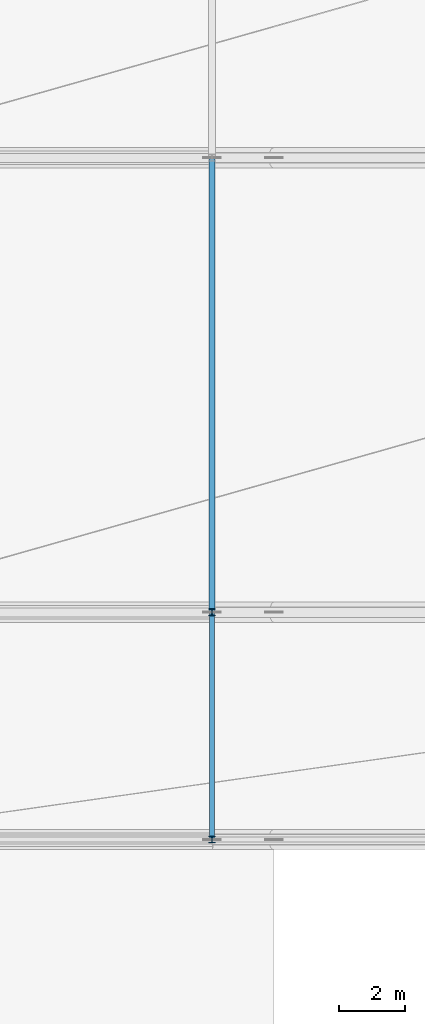
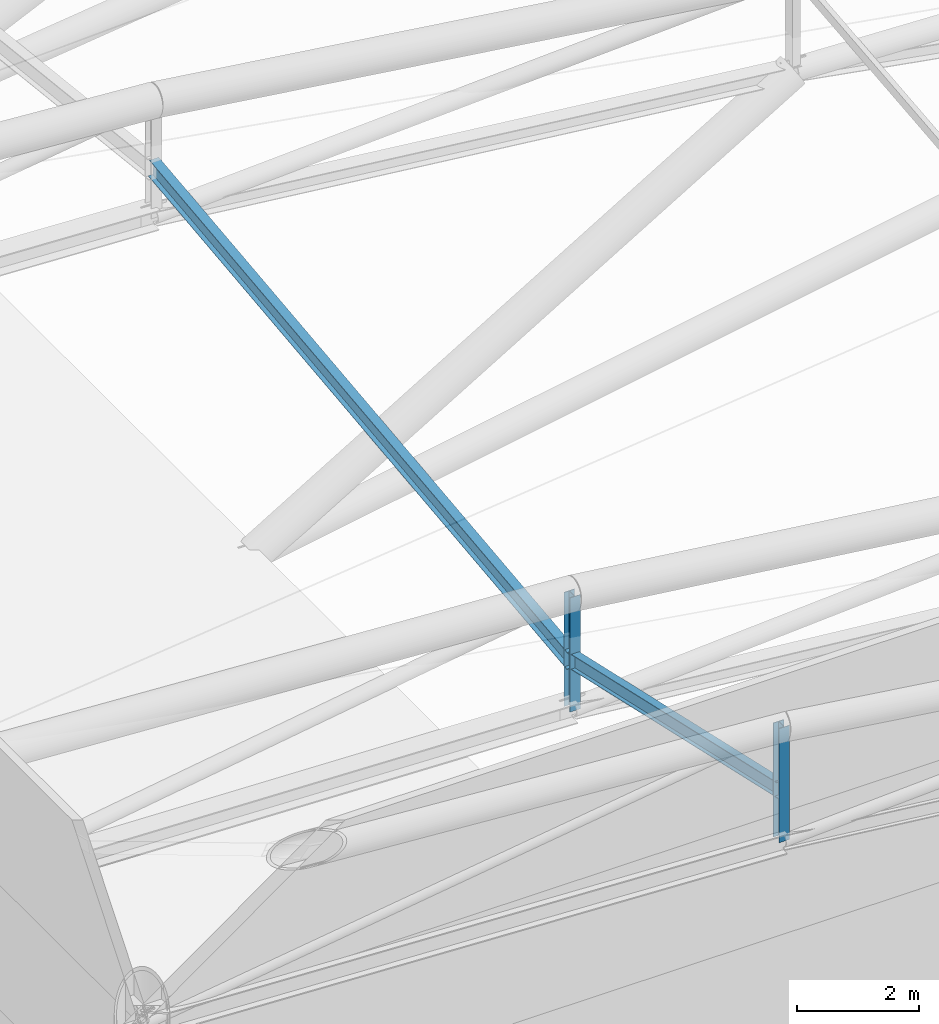
# One storey, part 4 of 36: 4 members.
"""IFC4 building model written with IfcOpenShell, lengths in metres."""

from ifc_helpers import new_model, si_unit, direction, frame, origin, origin_2d, place, context, subcontext, project, spatial, i_section, extrude, material, material_profile, profile_set, type_object, element, save


model = new_model("IFC4")

# Units and contexts
model_context = context("Model", 3, precision=1e-05, world=origin(), true_north=direction((0.0, 1.0)))
body_context = subcontext(model_context, "Body", "Model", "MODEL_VIEW")
ifc_project = project(units=[si_unit("LENGTHUNIT", "METRE"), si_unit("AREAUNIT", "SQUARE_METRE"), si_unit("VOLUMEUNIT", "CUBIC_METRE"), si_unit("PLANEANGLEUNIT", "RADIAN"), si_unit("MASSUNIT", "GRAM", prefix="KILO")], contexts=[model_context])

# Site, building, storey
site_placement = place(None, origin())
site = spatial("IfcSite", under=ifc_project, at=site_placement, CompositionType="ELEMENT")
building_placement = place(site_placement, origin())
building = spatial("IfcBuilding", under=site, at=building_placement, Name="Linyun Crest Stadium", CompositionType="ELEMENT")
storey_placement = place(building_placement, frame((0.0, 0.0, 31.60009765625)))
storey = spatial("IfcBuildingStorey", under=building, at=storey_placement, Name="RF", CompositionType="ELEMENT", Elevation=31.60009765625)

# Members
ifc_material_1 = material(Name="Steel Q355B", Category="steel")
ifc_material_profile_1 = material_profile(ifc_material_1, i_section(OverallWidth=0.14990234375, OverallDepth=0.300048828125, WebThickness=0.007080078125, FlangeThickness=0.009033203125, at=origin_2d()), Name="HN 300x150")
ifc_profile_set_1 = profile_set([ifc_material_profile_1], Name="Steel Q355B")
member_type_1 = type_object("IfcMemberType", Name="PR01", PredefinedType="PURLIN", material=ifc_profile_set_1)
member_1_placement = place(storey_placement, frame((-71.875, -46.0, 8.227783203125), z_axis=(0.0, 0.975490914933, -0.220039712061), x_axis=(-1.0, 0.0, 0.0)))
element("IfcMember", 1, at=member_1_placement, inside=storey, type_object=member_type_1, Name="Roof canopy purlin PR01 V1 153", PredefinedType="PURLIN", context=body_context, shape_type="SweptSolid", body=[
    extrude(i_section(OverallWidth=0.14990234375, OverallDepth=0.300048828125, WebThickness=0.007080078125, FlangeThickness=0.009033203125, at=origin_2d()), origin(), (0.0, 0.0, 1.0), 7.0478515625),
])
ifc_material_2 = material(Name="Steel Q355B", Category="steel")
ifc_material_profile_2 = material_profile(ifc_material_2, i_section(OverallWidth=0.175048828125, OverallDepth=0.35009765625, WebThickness=0.007080078125, FlangeThickness=0.010986328125, at=origin_2d()), Name="HN 350x175")
ifc_profile_set_2 = profile_set([ifc_material_profile_2], Name="Steel Q355B")
member_type_2 = type_object("IfcMemberType", Name="PR02", PredefinedType="PURLIN", material=ifc_profile_set_2)
member_2_placement = place(storey_placement, frame((-71.875, -39.125, 6.65185546875), z_axis=(0.0, 0.99369795001, 0.112090963715), x_axis=(-1.0, 0.0, 0.0)))
element("IfcMember", 2, at=member_2_placement, inside=storey, type_object=member_type_2, Name="Roof canopy purlin PR02 V1 157", PredefinedType="PURLIN", context=body_context, shape_type="SweptSolid", body=[
    extrude(i_section(OverallWidth=0.175048828125, OverallDepth=0.35009765625, WebThickness=0.007080078125, FlangeThickness=0.010986328125, at=origin_2d()), origin(), (0.0, 0.0, 1.0), 13.837158203125),
])
ifc_material_3 = material(Name="Steel Q355C", Category="steel")
ifc_material_profile_3 = material_profile(ifc_material_3, i_section(OverallWidth=0.199951171875, OverallDepth=0.199951171875, WebThickness=0.008056640625, FlangeThickness=0.011962890625, at=origin_2d()), Name="HW 200x200")
ifc_profile_set_3 = profile_set([ifc_material_profile_3], Name="Steel Q355C")
member_type_3 = type_object("IfcMemberType", Name="TV02", PredefinedType="STRUT", material=ifc_profile_set_3)
for number, where, z_axis, x_axis, name in (
    (3, (-71.875, -46.0, 7.25), (0.0, 0.0, 1.0), (1.0, 0.0, 0.0), "Roof vertical strut TV02 V1 9"),
    (4, (-71.875, -39.125, 5.698974609375), (0.0, 0.0, 1.0), (1.0, 0.0, 0.0), "Roof vertical strut TV02 V1 28"),
):
    element("IfcMember", number, at=place(storey_placement, frame(where, z_axis=z_axis, x_axis=x_axis)), inside=storey, type_object=member_type_3, Name=name, PredefinedType="STRUT", context=body_context, shape_type="SweptSolid", body=[
        extrude(i_section(OverallWidth=0.199951171875, OverallDepth=0.199951171875, WebThickness=0.008056640625, FlangeThickness=0.011962890625, at=origin_2d()), origin(), (0.0, 0.0, 1.0), 2.287841796875),
    ])

save(model, "model.ifc")
